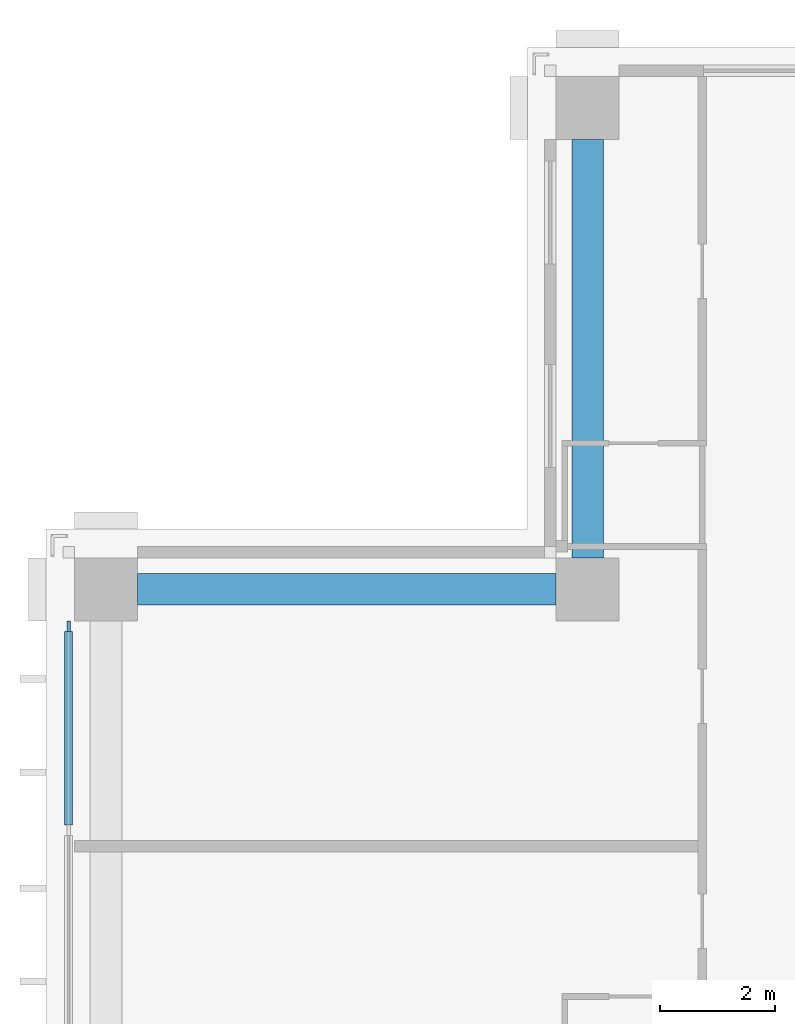
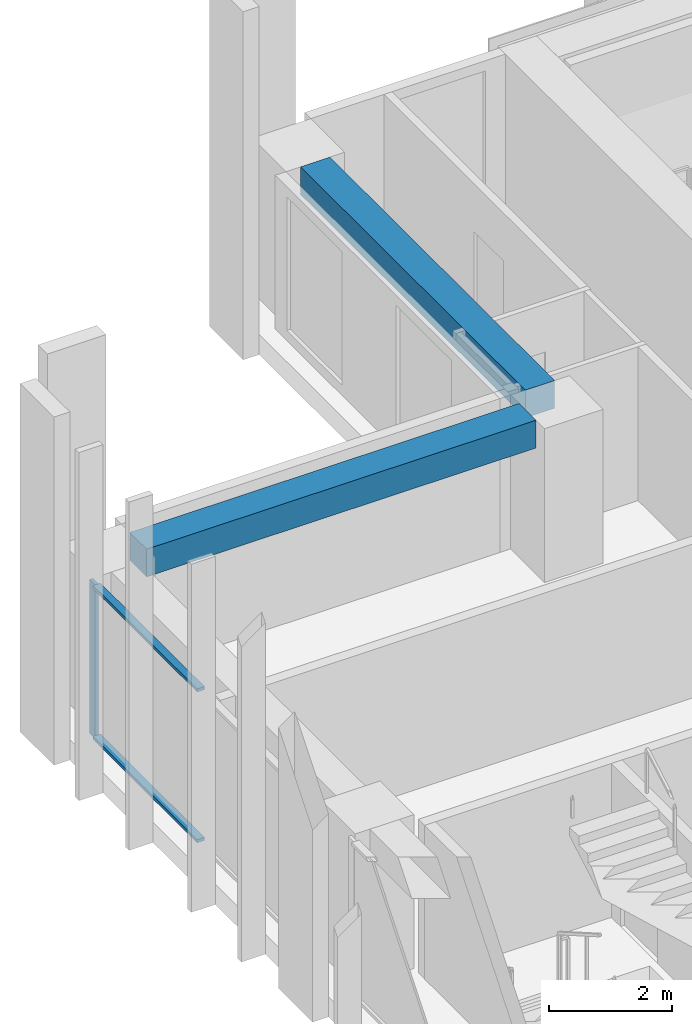
# One storey, part 6 of 16: 3 members, 2 beams, 1 element without a shape of its own.
"""IFC4 building model written with IfcOpenShell, lengths in metres."""

from ifc_helpers import new_model, si_unit, direction, frame, origin, origin_2d, place, context, subcontext, project, spatial, rectangle, extrude, material, material_profile, profile_set, type_object, element, aggregate, save


model = new_model("IFC4")

# Units and contexts
model_context = context("Model", 3, precision=1e-05, world=origin(), true_north=direction((0.0, 1.0)))
body_context = subcontext(model_context, "Body", "Model", "MODEL_VIEW")
ifc_project = project(units=[si_unit("LENGTHUNIT", "METRE"), si_unit("AREAUNIT", "SQUARE_METRE"), si_unit("VOLUMEUNIT", "CUBIC_METRE"), si_unit("PLANEANGLEUNIT", "RADIAN"), si_unit("MASSUNIT", "GRAM", prefix="KILO")], contexts=[model_context])

# Site, building, storey
site_placement = place(None, origin())
site = spatial("IfcSite", under=ifc_project, at=site_placement, CompositionType="ELEMENT")
building_placement = place(site_placement, origin())
building = spatial("IfcBuilding", under=site, at=building_placement, Name="Vermilion Ogive Tower", CompositionType="ELEMENT")
storey_placement = place(building_placement, frame((0.0, 0.0, 143.449951171875)))
storey = spatial("IfcBuildingStorey", under=building, at=storey_placement, Name="L36", CompositionType="ELEMENT", Elevation=143.449951171875)

# Curtain wall, members
ifc_material_1 = material(Name="Low-iron laminated glazing in aluminium frame", Category="aluminium")
curtain_wall_type = type_object("IfcCurtainWallType", Name="Curtain wall CW7", PredefinedType="NOTDEFINED", material=ifc_material_1)
curtain_wall_placement = place(storey_placement, origin())
curtain_wall = element("IfcCurtainWall", 1, at=curtain_wall_placement, inside=storey, type_object=curtain_wall_type, Name="Glazed skin W1", PredefinedType="NOTDEFINED")
ifc_material_2 = material(Name="Aluminium mullion", Category="aluminium")
ifc_material_profile_1 = material_profile(ifc_material_2, rectangle(XDim=0.06005859375, YDim=0.179931640625, at=origin_2d()), Name="AL 60x180")
ifc_profile_set_1 = profile_set([ifc_material_profile_1], Name="Aluminium mullion")
member_type_1 = type_object("IfcMemberType", Name="CW7 mullion 60x180", PredefinedType="MULLION", material=ifc_profile_set_1)
member_1_placement = place(storey_placement, frame((-21.64990234375, 11.9599609375, 0.0), z_axis=(0.0, 0.0, 1.0), x_axis=(1.0, 0.0, 0.0)))
member_1 = element("IfcMember", 2, at=member_1_placement, type_object=member_type_1, Name="CW7-W1 mullion 1", PredefinedType="MULLION", context=body_context, shape_type="SweptSolid", body=[
    extrude(rectangle(XDim=0.06005859375, YDim=0.179931640625, at=origin_2d()), origin(), (0.0, 0.0, 1.0), 3.050048828125),
])
ifc_material_3 = material(Name="Aluminium transom", Category="aluminium")
ifc_material_profile_2 = material_profile(ifc_material_3, rectangle(XDim=0.139892578125, YDim=0.06005859375, at=origin_2d()), Name="AL 60x140")
ifc_profile_set_2 = profile_set([ifc_material_profile_2], Name="Aluminium transom")
member_type_2 = type_object("IfcMemberType", Name="CW7 transom 60x140", PredefinedType="USERDEFINED", material=ifc_profile_set_2)
member_2_placement = place(storey_placement, frame((-21.64990234375, 11.8701171875, 0.030029296875), z_axis=(0.0, -1.0, 0.0), x_axis=(1.0, 0.0, 0.0)))
member_2 = element("IfcMember", 3, at=member_2_placement, type_object=member_type_2, Name="CW7-W1 transom 1.1", ObjectType="TRANSOM", PredefinedType="USERDEFINED", context=body_context, shape_type="SweptSolid", body=[
    extrude(rectangle(XDim=0.139892578125, YDim=0.06005859375, at=origin_2d()), origin(), (0.0, 0.0, 1.0), 3.380126953125),
])
member_3_placement = place(storey_placement, frame((-21.64990234375, 11.8701171875, 3.02001953125), z_axis=(0.0, -1.0, 0.0), x_axis=(1.0, 0.0, 0.0)))
member_3 = element("IfcMember", 4, at=member_3_placement, type_object=member_type_2, Name="CW7-W1 transom 1.2", ObjectType="TRANSOM", PredefinedType="USERDEFINED", context=body_context, shape_type="SweptSolid", body=[
    extrude(rectangle(XDim=0.139892578125, YDim=0.06005859375, at=origin_2d()), origin(), (0.0, 0.0, 1.0), 3.380126953125),
])
aggregate(curtain_wall, [member_1, member_2, member_3])

# Beams
ifc_material_4 = material(Name="Concrete B45", Category="concrete")
ifc_material_profile_3 = material_profile(ifc_material_4, rectangle(XDim=0.550048828125, YDim=0.550048828125, at=origin_2d()), Name="550 x 550")
ifc_profile_set_3 = profile_set([ifc_material_profile_3], Name="Concrete B45")
beam_type = type_object("IfcBeamType", Name="Edge beam 550 x 550 B45", PredefinedType="BEAM", material=ifc_profile_set_3)
for number, where, z_axis, x_axis, name in (
    (5, (-12.60009765625, 20.449951171875, 2.775146484375), (0.0, -1.0, 0.0), (1.0, 0.0, 0.0), "L36-EB-11"),
    (6, (-13.14990234375, 12.60009765625, 2.775146484375), (-1.0, 0.0, 0.0), (0.0, -1.0, 0.0), "L36-EB-12"),
):
    element("IfcBeam", number, at=place(storey_placement, frame(where, z_axis=z_axis, x_axis=x_axis)), inside=storey, type_object=beam_type, Name=name, PredefinedType="BEAM", context=body_context, shape_type="SweptSolid", body=[
        extrude(rectangle(XDim=0.550048828125, YDim=0.550048828125, at=origin_2d()), origin(), (0.0, 0.0, 1.0), 7.300048828125),
    ])

save(model, "model.ifc")
